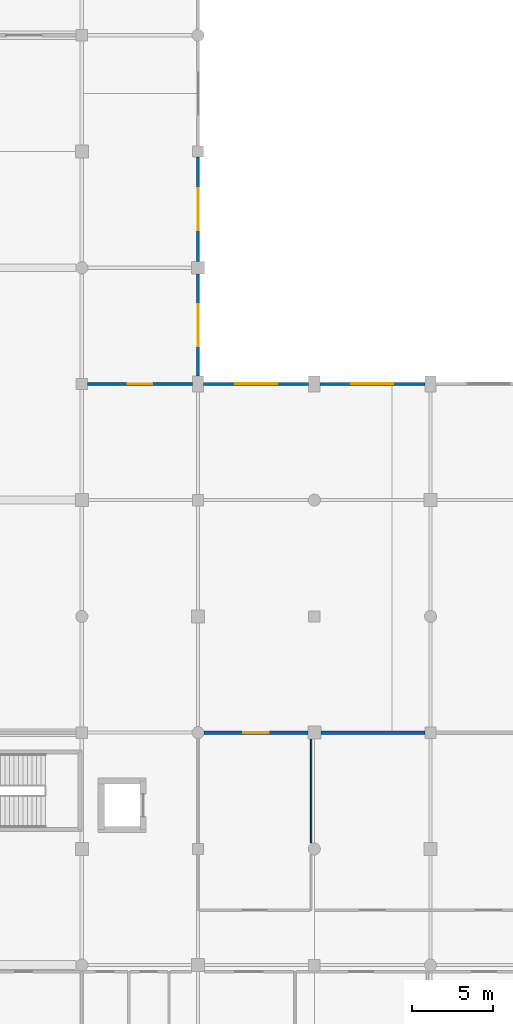
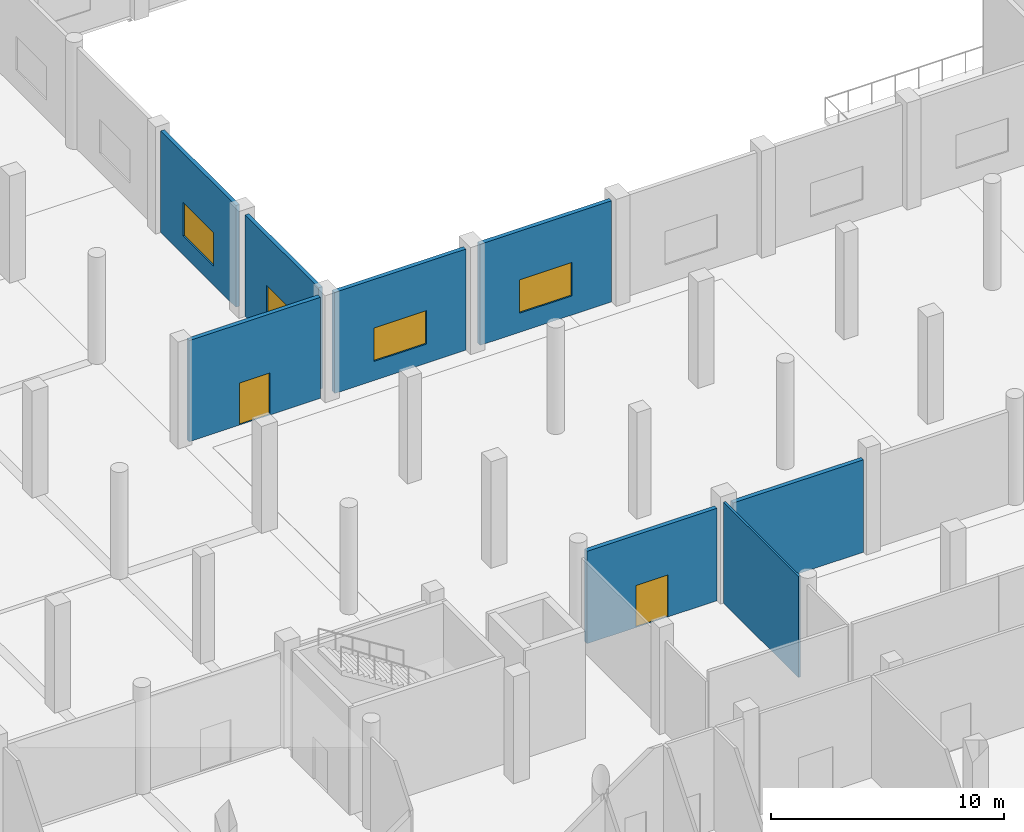
# One storey, part 55 of 80: 8 walls, 4 windows, 2 doors, 6 openings.
"""IFC4 building model written with IfcOpenShell, lengths in metres."""

from ifc_helpers import new_model, si_unit, direction, frame, frame_2d, origin, place, context, subcontext, project, spatial, rectangle, extrude, material, layer, layer_set, type_object, element, fill, save


model = new_model("IFC4")

# Units and contexts
model_context = context("Model", 3, precision=1e-05, world=origin(), true_north=direction((0.0, 1.0)))
body_context = subcontext(model_context, "Body", "Model", "MODEL_VIEW")
ifc_project = project(units=[si_unit("LENGTHUNIT", "METRE"), si_unit("AREAUNIT", "SQUARE_METRE"), si_unit("VOLUMEUNIT", "CUBIC_METRE"), si_unit("PLANEANGLEUNIT", "RADIAN"), si_unit("MASSUNIT", "GRAM", prefix="KILO")], contexts=[model_context])

# Site, building, storey
site_placement = place(None, origin())
site = spatial("IfcSite", under=ifc_project, at=site_placement, CompositionType="ELEMENT")
building_placement = place(site_placement, origin())
building = spatial("IfcBuilding", under=site, at=building_placement, Name="Sardonyx Promenade Sports Hall", CompositionType="ELEMENT")
storey_placement = place(building_placement, frame((0.0, 0.0, 5.60009765625)))
storey = spatial("IfcBuildingStorey", under=building, at=storey_placement, Name="L01", CompositionType="ELEMENT", Elevation=5.60009765625)

# Wall, opening, window
ifc_material_1 = material(Name="Masonry CMU 15 MPa", Category="masonry")
ifc_layer_1 = layer(ifc_material_1, 0.18994140625)
ifc_layer_set_1 = layer_set([ifc_layer_1], Name="Wall_Part_Block_190")
wall_type_1 = type_object("IfcWallType", Name="Wall_Part_Block_190", PredefinedType="PARTITIONING", material=ifc_layer_set_1)
wall_1_placement = place(storey_placement, frame((115.199951171875, 50.89990234375, 0.0), z_axis=(0.0, 0.0, 1.0), x_axis=(0.0, 1.0, 0.0)))
wall_1 = element("IfcWall", 1, at=wall_1_placement, inside=storey, type_object=wall_type_1, Name="Interior partition PW03 L01 #464", PredefinedType="PARTITIONING", context=body_context, shape_type="SweptSolid", body=[
    extrude(rectangle(XDim=6.300048828125, YDim=0.18994140625, at=frame_2d((3.14990234375, 0.0))), origin(), (0.0, 0.0, 1.0), 5.31982421875),
])
opening_1_placement = place(wall_1_placement, frame((1.85009765625, 0.0, 1.0)))
opening_1 = element("IfcOpeningElement", 2, at=opening_1_placement, cuts=wall_1, Name="Opening IW07", PredefinedType="OPENING", context=body_context, shape_type="SweptSolid", body=[
    extrude(rectangle(XDim=2.60009765625, YDim=1.75, at=frame_2d((1.300048828125, 0.875))), frame((0.0, 0.105, 0.0), z_axis=(0.0, -1.0, 0.0), x_axis=(1.0, 0.0, 0.0)), (0.0, 0.0, 1.0), 0.21),
])
ifc_material_2 = material(Name="Acoustic laminated sports viewing glazing EI 60", Category="glass")
window_type = type_object("IfcWindowType", Name="IWin_Prac_260x175", PartitioningType="DOUBLE_PANEL_VERTICAL", PredefinedType="WINDOW", material=ifc_material_2)
window_1_placement = place(opening_1_placement, origin())
window_1 = element("IfcWindow", 3, at=window_1_placement, inside=storey, type_object=window_type, Name="Internal viewing window IW07 L01 #52", OverallHeight=1.75, OverallWidth=2.60009765625, PartitioningType="SINGLE_PANEL", PredefinedType="WINDOW", context=body_context, shape_type="SweptSolid", body=[
    extrude(rectangle(XDim=2.60009765625, YDim=1.75, at=frame_2d((1.300048828125, 0.875))), frame((0.0, 0.030029296875, 0.0), z_axis=(0.0, -1.0, 0.0), x_axis=(1.0, 0.0, 0.0)), (0.0, 0.0, 1.0), 0.06005859375),
])
fill(opening_1, window_1)

wall_2_placement = place(storey_placement, frame((115.199951171875, 58.0, 0.0), z_axis=(0.0, 0.0, 1.0), x_axis=(0.0, 1.0, 0.0)))
wall_2 = element("IfcWall", 4, at=wall_2_placement, inside=storey, type_object=wall_type_1, Name="Interior partition PW03 L01 #465", PredefinedType="PARTITIONING", context=body_context, shape_type="SweptSolid", body=[
    extrude(rectangle(XDim=6.449951171875, YDim=0.18994140625, at=frame_2d((3.22509765625, 0.0))), origin(), (0.0, 0.0, 1.0), 5.31982421875),
])
opening_2_placement = place(wall_2_placement, frame((1.925048828125, 0.0, 1.0)))
opening_2 = element("IfcOpeningElement", 5, at=opening_2_placement, cuts=wall_2, Name="Opening IW07", PredefinedType="OPENING", context=body_context, shape_type="SweptSolid", body=[
    extrude(rectangle(XDim=2.60009765625, YDim=1.75, at=frame_2d((1.300048828125, 0.875))), frame((0.0, 0.105, 0.0), z_axis=(0.0, -1.0, 0.0), x_axis=(1.0, 0.0, 0.0)), (0.0, 0.0, 1.0), 0.21),
])
window_2_placement = place(opening_2_placement, origin())
window_2 = element("IfcWindow", 6, at=window_2_placement, inside=storey, type_object=window_type, Name="Internal viewing window IW07 L01 #53", OverallHeight=1.75, OverallWidth=2.60009765625, PartitioningType="SINGLE_PANEL", PredefinedType="WINDOW", context=body_context, shape_type="SweptSolid", body=[
    extrude(rectangle(XDim=2.60009765625, YDim=1.75, at=frame_2d((1.300048828125, 0.875))), frame((0.0, 0.030029296875, 0.0), z_axis=(0.0, -1.0, 0.0), x_axis=(1.0, 0.0, 0.0)), (0.0, 0.0, 1.0), 0.06005859375),
])
fill(opening_2, window_2)

# Wall, opening, door
ifc_material_3 = material(Name="Masonry CMU 15 MPa", Category="masonry")
ifc_layer_2 = layer(ifc_material_3, 0.2099609375)
ifc_layer_set_2 = layer_set([ifc_layer_2], Name="Wall_Part_Block_210")
wall_type_2 = type_object("IfcWallType", Name="Wall_Part_Block_210", PredefinedType="PARTITIONING", material=ifc_layer_set_2)
wall_3_placement = place(storey_placement, frame((115.574951171875, 28.800048828125, 0.0), z_axis=(0.0, 0.0, 1.0), x_axis=(1.0, 0.0, 0.0)))
wall_3 = element("IfcWall", 7, at=wall_3_placement, inside=storey, type_object=wall_type_2, Name="Interior partition PW07 L01 #205", PredefinedType="PARTITIONING", context=body_context, shape_type="SweptSolid", body=[
    extrude(rectangle(XDim=6.425048828125, YDim=0.2099609375, at=frame_2d((3.21240234375, 0.0))), origin(), (0.0, 0.0, 1.0), 4.83642578125),
])
opening_3_placement = place(wall_3_placement, frame((2.41259765625, 0.0, 0.0)))
opening_3 = element("IfcOpeningElement", 8, at=opening_3_placement, cuts=wall_3, Name="Opening ID09", PredefinedType="OPENING", context=body_context, shape_type="SweptSolid", body=[
    extrude(rectangle(XDim=1.60009765625, YDim=2.199951171875, at=frame_2d((0.800048828125, 1.10009765625))), frame((0.0, 0.115, 0.0), z_axis=(0.0, -1.0, 0.0), x_axis=(1.0, 0.0, 0.0)), (0.0, 0.0, 1.0), 0.23),
])
ifc_material_4 = material(Name="Double hardwood vision-panel fire door FD60S", Category="wood")
door_type_1 = type_object("IfcDoorType", Name="Door_Lobby_FD60_160x220", OperationType="NOTDEFINED", PredefinedType="DOOR", material=ifc_material_4)
door_1_placement = place(opening_3_placement, origin())
door_1 = element("IfcDoor", 9, at=door_1_placement, inside=storey, type_object=door_type_1, Name="Interior door D01-054", OperationType="DOUBLE_DOOR_SINGLE_SWING", OverallHeight=2.199951171875, OverallWidth=1.60009765625, PredefinedType="DOOR", context=body_context, shape_type="SweptSolid", body=[
    extrude(rectangle(XDim=1.60009765625, YDim=2.199951171875, at=frame_2d((0.800048828125, 1.10009765625))), frame((0.0, 0.02490234375, 0.0), z_axis=(0.0, -1.0, 0.0), x_axis=(1.0, 0.0, 0.0)), (0.0, 0.0, 1.0), 0.050048828125),
])
fill(opening_3, door_1)

# Wall
wall_4_placement = place(storey_placement, frame((122.800048828125, 28.800048828125, 0.0), z_axis=(0.0, 0.0, 1.0), x_axis=(1.0, 0.0, 0.0)))
element("IfcWall", 10, at=wall_4_placement, inside=storey, type_object=wall_type_2, Name="Interior partition PW07 L01 #206", PredefinedType="PARTITIONING", context=body_context, shape_type="SweptSolid", body=[
    extrude(rectangle(XDim=6.449951171875, YDim=0.2099609375, at=frame_2d((3.22509765625, 0.0))), origin(), (0.0, 0.0, 1.0), 4.83642578125),
])

# Wall, opening, door
wall_5_placement = place(storey_placement, frame((108.35009765625, 50.39990234375, 0.0), z_axis=(0.0, 0.0, 1.0), x_axis=(1.0, 0.0, 0.0)))
wall_5 = element("IfcWall", 11, at=wall_5_placement, inside=storey, type_object=wall_type_2, Name="Interior partition PW07 L01 #460", PredefinedType="PARTITIONING", context=body_context, shape_type="SweptSolid", body=[
    extrude(rectangle(XDim=6.5, YDim=0.2099609375, at=frame_2d((3.25, 0.0))), origin(), (0.0, 0.0, 1.0), 5.289794921875),
])
opening_4_placement = place(wall_5_placement, frame((2.5, 0.0, 0.0)))
opening_4 = element("IfcOpeningElement", 12, at=opening_4_placement, cuts=wall_5, Name="Opening ID10", PredefinedType="OPENING", context=body_context, shape_type="SweptSolid", body=[
    extrude(rectangle(XDim=1.5, YDim=2.199951171875, at=frame_2d((0.75, 1.10009765625))), frame((0.0, 0.115, 0.0), z_axis=(0.0, -1.0, 0.0), x_axis=(1.0, 0.0, 0.0)), (0.0, 0.0, 1.0), 0.23),
])
ifc_material_5 = material(Name="Double studio entrance fire door FD30S", Category="wood")
door_type_2 = type_object("IfcDoorType", Name="Door_Corr_FD30_150x220", OperationType="NOTDEFINED", PredefinedType="DOOR", material=ifc_material_5)
door_2_placement = place(opening_4_placement, origin())
door_2 = element("IfcDoor", 13, at=door_2_placement, inside=storey, type_object=door_type_2, Name="Interior door D01-145", OperationType="DOUBLE_DOOR_SINGLE_SWING", OverallHeight=2.199951171875, OverallWidth=1.5, PredefinedType="DOOR", context=body_context, shape_type="SweptSolid", body=[
    extrude(rectangle(XDim=1.5, YDim=2.199951171875, at=frame_2d((0.75, 1.10009765625))), frame((0.0, 0.02490234375, 0.0), z_axis=(0.0, -1.0, 0.0), x_axis=(1.0, 0.0, 0.0)), (0.0, 0.0, 1.0), 0.050048828125),
])
fill(opening_4, door_2)

# Wall, opening, window
wall_6_placement = place(storey_placement, frame((115.550048828125, 50.39990234375, 0.0), z_axis=(0.0, 0.0, 1.0), x_axis=(1.0, 0.0, 0.0)))
wall_6 = element("IfcWall", 14, at=wall_6_placement, inside=storey, type_object=wall_type_2, Name="Interior partition PW07 L01 #471", PredefinedType="PARTITIONING", context=body_context, shape_type="SweptSolid", body=[
    extrude(rectangle(XDim=6.5, YDim=0.2099609375, at=frame_2d((3.25, 0.0))), origin(), (0.0, 0.0, 1.0), 5.289794921875),
])
opening_5_placement = place(wall_6_placement, frame((1.949951171875, 0.0, 1.0)))
opening_5 = element("IfcOpeningElement", 15, at=opening_5_placement, cuts=wall_6, Name="Opening IW07", PredefinedType="OPENING", context=body_context, shape_type="SweptSolid", body=[
    extrude(rectangle(XDim=2.60009765625, YDim=1.75, at=frame_2d((1.300048828125, 0.875))), frame((0.0, 0.115, 0.0), z_axis=(0.0, -1.0, 0.0), x_axis=(1.0, 0.0, 0.0)), (0.0, 0.0, 1.0), 0.23),
])
window_3_placement = place(opening_5_placement, origin())
window_3 = element("IfcWindow", 16, at=window_3_placement, inside=storey, type_object=window_type, Name="Internal viewing window IW07 L01 #59", OverallHeight=1.75, OverallWidth=2.60009765625, PartitioningType="SINGLE_PANEL", PredefinedType="WINDOW", context=body_context, shape_type="SweptSolid", body=[
    extrude(rectangle(XDim=2.60009765625, YDim=1.75, at=frame_2d((1.300048828125, 0.875))), frame((0.0, 0.030029296875, 0.0), z_axis=(0.0, -1.0, 0.0), x_axis=(1.0, 0.0, 0.0)), (0.0, 0.0, 1.0), 0.06005859375),
])
fill(opening_5, window_3)

wall_7_placement = place(storey_placement, frame((122.75, 50.39990234375, 0.0), z_axis=(0.0, 0.0, 1.0), x_axis=(1.0, 0.0, 0.0)))
wall_7 = element("IfcWall", 17, at=wall_7_placement, inside=storey, type_object=wall_type_2, Name="Interior partition PW07 L01 #473", PredefinedType="PARTITIONING", context=body_context, shape_type="SweptSolid", body=[
    extrude(rectangle(XDim=6.5, YDim=0.2099609375, at=frame_2d((3.25, 0.0))), origin(), (0.0, 0.0, 1.0), 5.289794921875),
])
opening_6_placement = place(wall_7_placement, frame((1.949951171875, 0.0, 1.0)))
opening_6 = element("IfcOpeningElement", 18, at=opening_6_placement, cuts=wall_7, Name="Opening IW07", PredefinedType="OPENING", context=body_context, shape_type="SweptSolid", body=[
    extrude(rectangle(XDim=2.60009765625, YDim=1.75, at=frame_2d((1.300048828125, 0.875))), frame((0.0, 0.115, 0.0), z_axis=(0.0, -1.0, 0.0), x_axis=(1.0, 0.0, 0.0)), (0.0, 0.0, 1.0), 0.23),
])
window_4_placement = place(opening_6_placement, origin())
window_4 = element("IfcWindow", 19, at=window_4_placement, inside=storey, type_object=window_type, Name="Internal viewing window IW07 L01 #61", OverallHeight=1.75, OverallWidth=2.60009765625, PartitioningType="SINGLE_PANEL", PredefinedType="WINDOW", context=body_context, shape_type="SweptSolid", body=[
    extrude(rectangle(XDim=2.60009765625, YDim=1.75, at=frame_2d((1.300048828125, 0.875))), frame((0.0, 0.030029296875, 0.0), z_axis=(0.0, -1.0, 0.0), x_axis=(1.0, 0.0, 0.0)), (0.0, 0.0, 1.0), 0.06005859375),
])
fill(opening_6, window_4)

# Wall
ifc_material_6 = material(Name="Lightweight steel-stud partition", Category="steel")
ifc_layer_3 = layer(ifc_material_6, 0.10009765625)
ifc_layer_set_3 = layer_set([ifc_layer_3], Name="Wall_Part_Light_100")
wall_type_3 = type_object("IfcWallType", Name="Wall_Part_Light_100", PredefinedType="PARTITIONING", material=ifc_layer_set_3)
wall_8_placement = place(storey_placement, frame((122.199951171875, 21.97509765625, 0.0), z_axis=(0.0, 0.0, 1.0), x_axis=(0.0, 1.0, 0.0)))
element("IfcWall", 20, at=wall_8_placement, inside=storey, type_object=wall_type_3, Name="Interior partition PW01 L01 #191", PredefinedType="PARTITIONING", context=body_context, shape_type="SweptSolid", body=[
    extrude(rectangle(XDim=6.4248046875, YDim=0.10009765625, at=frame_2d((3.21240234375, 0.0))), origin(), (0.0, 0.0, 1.0), 5.289794921875),
])

save(model, "model.ifc")
